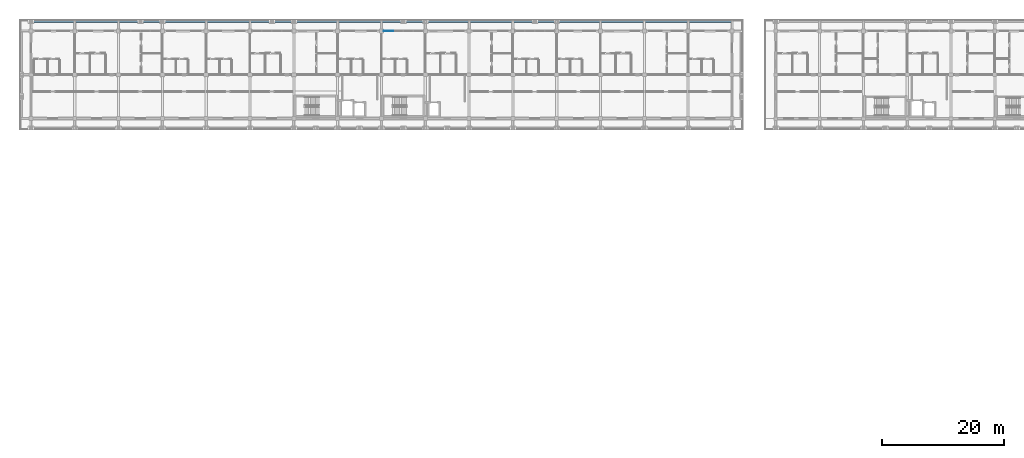
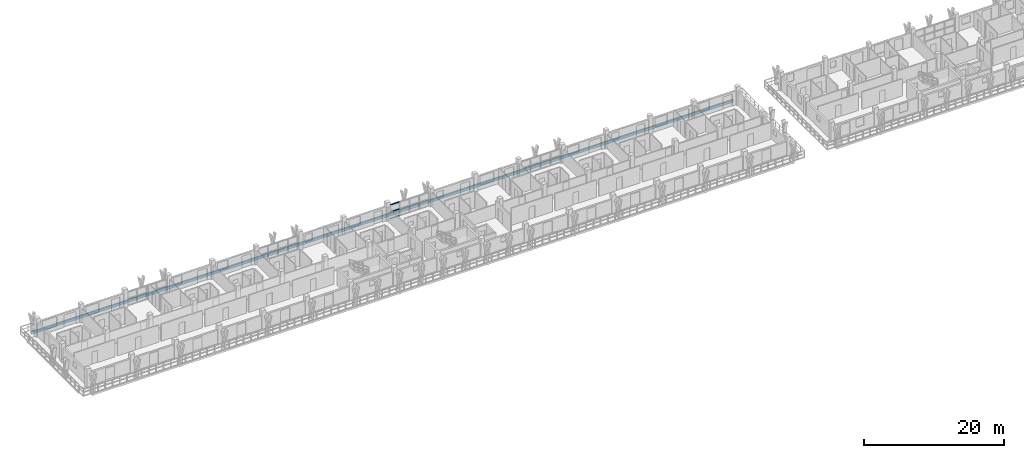
# One storey, part 15 of 76: 3 members, 1 beam, 1 element without a shape of its own.
"""IFC4 building model written with IfcOpenShell, lengths in metres."""

from ifc_helpers import new_model, si_unit, direction, frame, origin, origin_2d, place, context, subcontext, project, spatial, rectangle, hollow_rectangle, extrude, material, material_profile, profile_set, type_object, element, aggregate, save


model = new_model("IFC4")

# Units and contexts
model_context = context("Model", 3, precision=1e-05, world=origin(), true_north=direction((0.0, 1.0)))
body_context = subcontext(model_context, "Body", "Model", "MODEL_VIEW")
ifc_project = project(units=[si_unit("LENGTHUNIT", "METRE"), si_unit("AREAUNIT", "SQUARE_METRE"), si_unit("VOLUMEUNIT", "CUBIC_METRE"), si_unit("PLANEANGLEUNIT", "RADIAN"), si_unit("MASSUNIT", "GRAM", prefix="KILO")], contexts=[model_context])

# Site, building, storey
site_placement = place(None, origin())
site = spatial("IfcSite", under=ifc_project, at=site_placement, CompositionType="ELEMENT")
building_placement = place(site_placement, origin())
building = spatial("IfcBuilding", under=site, at=building_placement, Name="Suanplinth Sawtooth Commons", CompositionType="ELEMENT")
storey_placement = place(building_placement, frame((0.0, 0.0, 12.199951171875)))
storey = spatial("IfcBuildingStorey", under=building, at=storey_placement, Name="L03", CompositionType="ELEMENT", Elevation=12.199951171875)

# Beam
ifc_material_1 = material(Name="Precast concrete C40/50", Category="concrete")
ifc_material_profile_1 = material_profile(ifc_material_1, rectangle(XDim=0.25, YDim=0.449951171875, at=origin_2d()), Name="PC-SP 250x450")
ifc_profile_set_1 = profile_set([ifc_material_profile_1], Name="Precast concrete C40/50")
beam_type = type_object("IfcBeamType", Name="B-09", PredefinedType="SPANDREL", material=ifc_profile_set_1)
beam_placement = place(storey_placement, frame((-0.14990234375, 123.919921875, -0.405029296875), z_axis=(1.0, 0.0, 0.0), x_axis=(0.0, 1.0, 0.0)))
element("IfcBeam", 1, at=beam_placement, inside=storey, type_object=beam_type, Name="Balcony Edge Fascia L03-A-N", PredefinedType="SPANDREL", context=body_context, shape_type="SweptSolid", body=[
    extrude(rectangle(XDim=0.25, YDim=0.449951171875, at=origin_2d()), origin(), (0.0, 0.0, 1.0), 115.5),
])

# Curtain wall, members
ifc_material_2 = material(Name="Anodized aluminium and low-E glazing", Category="aluminium")
curtain_wall_type = type_object("IfcCurtainWallType", Name="CW-06", PredefinedType="USERDEFINED", material=ifc_material_2)
curtain_wall_placement = place(storey_placement, origin())
curtain_wall = element("IfcCurtainWall", 2, at=curtain_wall_placement, inside=storey, type_object=curtain_wall_type, Name="Curtain Wall CW-L03-A-LOUNGE-8", ObjectType="CURTAIN WALL", PredefinedType="USERDEFINED")
ifc_material_3 = material(Name="Anodized aluminium 6063-T6", Category="aluminium")
ifc_material_profile_2 = material_profile(ifc_material_3, hollow_rectangle(XDim=0.06494140625, YDim=0.1201171875, WallThickness=0.00390625, at=origin_2d()), Name="ALU-TRN 65x120")
ifc_profile_set_2 = profile_set([ifc_material_profile_2], Name="Anodized aluminium 6063-T6")
member_type = type_object("IfcMemberType", Name="M-15", PredefinedType="USERDEFINED", material=ifc_profile_set_2)
member_1_placement = place(storey_placement, frame((57.989990234375, 122.39990234375, 0.032470703125), z_axis=(1.0, 0.0, 0.0), x_axis=(0.0, 1.0, 0.0)))
member_1 = element("IfcMember", 3, at=member_1_placement, type_object=member_type, Name="CW-06 transom 1.1", ObjectType="TRANSOM", PredefinedType="USERDEFINED", context=body_context, shape_type="SweptSolid", body=[
    extrude(hollow_rectangle(XDim=0.06494140625, YDim=0.1201171875, WallThickness=0.00390625, at=origin_2d()), origin(), (0.0, 0.0, 1.0), 1.5400390625),
])
member_2_placement = place(storey_placement, frame((57.989990234375, 122.39990234375, 1.22998046875), z_axis=(1.0, 0.0, 0.0), x_axis=(0.0, 1.0, 0.0)))
member_2 = element("IfcMember", 4, at=member_2_placement, type_object=member_type, Name="CW-06 transom 1.2", ObjectType="TRANSOM", PredefinedType="USERDEFINED", context=body_context, shape_type="SweptSolid", body=[
    extrude(hollow_rectangle(XDim=0.06494140625, YDim=0.1201171875, WallThickness=0.00390625, at=origin_2d()), origin(), (0.0, 0.0, 1.0), 1.5400390625),
])
member_3_placement = place(storey_placement, frame((57.989990234375, 122.39990234375, 2.427490234375), z_axis=(1.0, 0.0, 0.0), x_axis=(0.0, 1.0, 0.0)))
member_3 = element("IfcMember", 5, at=member_3_placement, type_object=member_type, Name="CW-06 transom 1.3", ObjectType="TRANSOM", PredefinedType="USERDEFINED", context=body_context, shape_type="SweptSolid", body=[
    extrude(hollow_rectangle(XDim=0.06494140625, YDim=0.1201171875, WallThickness=0.00390625, at=origin_2d()), origin(), (0.0, 0.0, 1.0), 1.5400390625),
])
aggregate(curtain_wall, [member_1, member_2, member_3])

save(model, "model.ifc")
